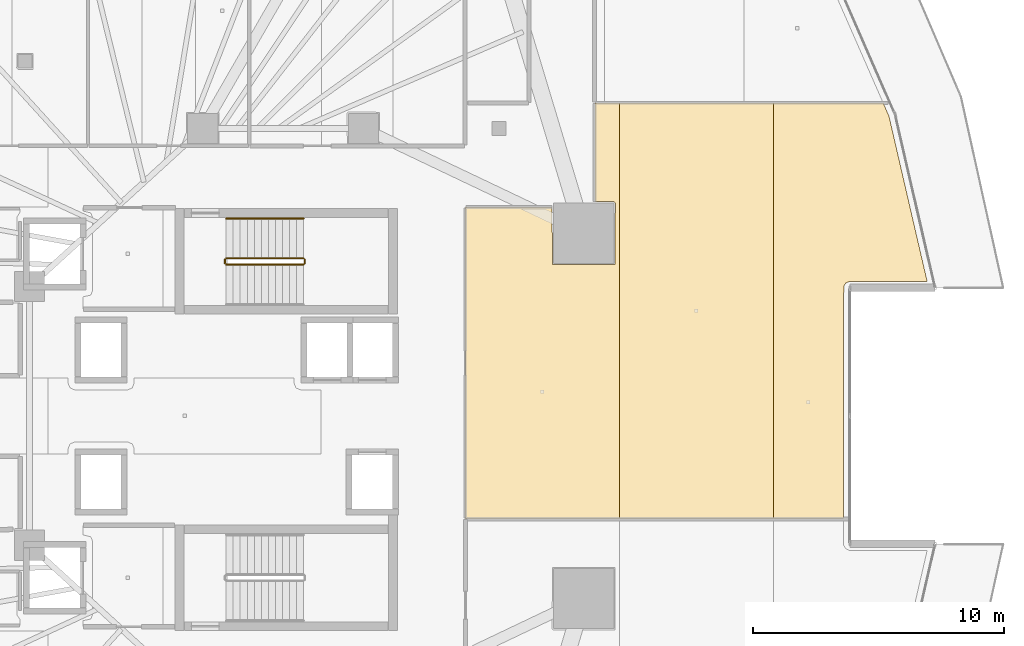
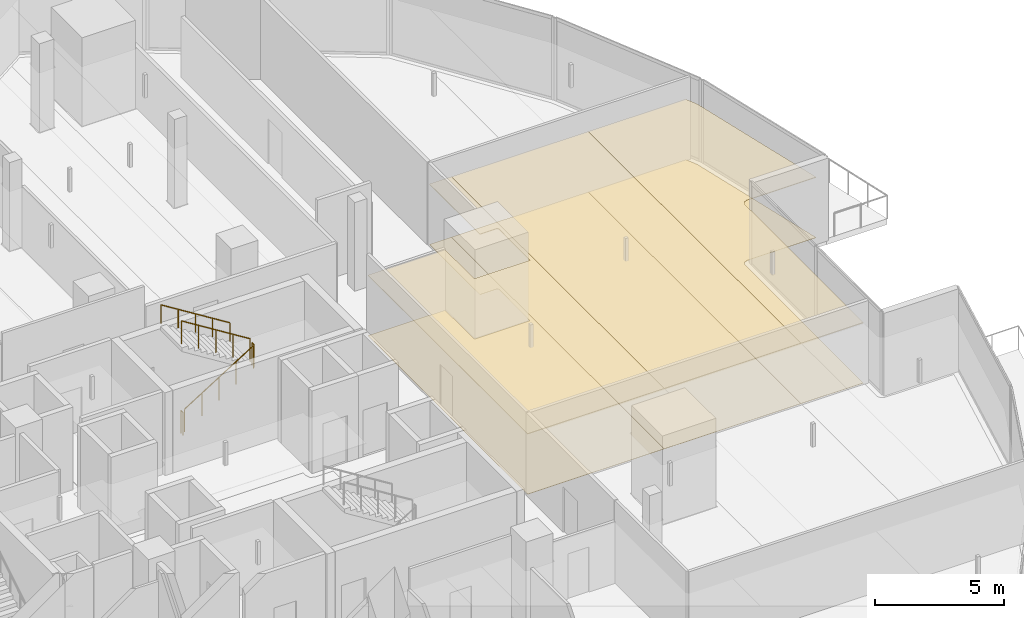
# One storey, part 44 of 45: 6 coverings, 5 railings.
"""IFC4 building model written with IfcOpenShell, lengths in metres."""

from ifc_helpers import new_model, si_unit, direction, frame, origin, origin_2d, place, context, subcontext, project, spatial, polyline, circle, outline, extrude, material, layer, layer_set, type_object, element, save


model = new_model("IFC4")

# Units and contexts
model_context = context("Model", 3, precision=1e-05, world=origin(), true_north=direction((0.0, 1.0)))
body_context = subcontext(model_context, "Body", "Model", "MODEL_VIEW")
ifc_project = project(units=[si_unit("LENGTHUNIT", "METRE"), si_unit("AREAUNIT", "SQUARE_METRE"), si_unit("VOLUMEUNIT", "CUBIC_METRE"), si_unit("PLANEANGLEUNIT", "RADIAN"), si_unit("MASSUNIT", "GRAM", prefix="KILO")], contexts=[model_context])

# Site, building, storey
site_placement = place(None, origin())
site = spatial("IfcSite", under=ifc_project, at=site_placement, CompositionType="ELEMENT")
building_placement = place(site_placement, origin())
building = spatial("IfcBuilding", under=site, at=building_placement, Name="Qorvath Tower", CompositionType="ELEMENT")
storey_placement = place(building_placement, frame((0.0, 0.0, 91.199951171875)))
storey = spatial("IfcBuildingStorey", under=building, at=storey_placement, Name="L20", CompositionType="ELEMENT", Elevation=91.199951171875)

# Coverings
ifc_material_1 = material(Name="Acoustic mineral fibre ceiling tile", Category="gypsum")
ifc_layer_1 = layer(ifc_material_1, 0.030029296875)
ifc_layer_set_1 = layer_set([ifc_layer_1], Name="COV-CEIL")
covering_type_1 = type_object("IfcCoveringType", Name="COV-CEIL", PredefinedType="CEILING", material=ifc_layer_set_1)
covering_1_placement = place(storey_placement, frame((0.0, 0.0, 2.85009765625)))
element("IfcCovering", 1, at=covering_1_placement, inside=storey, type_object=covering_type_1, Name="L20 Suspended Acoustic Ceiling 032", PredefinedType="CEILING", context=body_context, shape_type="SweptSolid", body=[
    extrude(outline(polyline([(-7.008056640625, -4.08984375), (-7.008056640625, 12.458984375), (-7.987060546875, 12.458984375), (-7.987060546875, 8.536376953125), (-7.230224609375, 8.536376953125), (-7.17041015625, 8.476318359375), (-7.18798828125, 6.033935546875), (-9.672607421875, 6.033935546875), (-9.690185546875, 8.306884765625), (-13.136962890625, 8.306884765625), (-13.136962890625, -4.08984375), (-7.008056640625, -4.08984375)])), origin(), (0.0, 0.0, 1.0), 0.030029296875),
])
covering_2_placement = place(storey_placement, frame((0.0, 0.0, 2.85009765625)))
element("IfcCovering", 2, at=covering_2_placement, inside=storey, type_object=covering_type_1, Name="L20 Suspended Acoustic Ceiling 033", PredefinedType="CEILING", context=body_context, shape_type="SweptSolid", body=[
    extrude(outline(polyline([(-0.87890625, -4.08984375), (-0.87890625, 12.458984375), (-7.008056640625, 12.458984375), (-7.008056640625, -4.08984375), (-0.87890625, -4.08984375)])), origin(), (0.0, 0.0, 1.0), 0.030029296875),
])
covering_3_placement = place(storey_placement, frame((0.0, 0.0, 2.85009765625)))
element("IfcCovering", 3, at=covering_3_placement, inside=storey, type_object=covering_type_1, Name="L20 Suspended Acoustic Ceiling 034", PredefinedType="CEILING", context=body_context, shape_type="SweptSolid", body=[
    extrude(outline(polyline([(2.14599609375, 5.35107421875), (5.25, 5.3525390625), (3.72998046875, 11.934814453125), (3.500244140625, 12.458984375), (-0.87890625, 12.458984375), (-0.87890625, -4.08984375), (1.917236328125, -4.08984375), (1.927978515625, 5.170166015625), (2.009521484375, 5.293701171875), (2.14599609375, 5.35107421875)])), origin(), (0.0, 0.0, 1.0), 0.030029296875),
])
ifc_material_2 = material(Name="Low-VOC modular carpet tile", Category="textile")
ifc_layer_2 = layer(ifc_material_2, 0.014892578125)
ifc_layer_set_2 = layer_set([ifc_layer_2], Name="COV-FLOOR-CPT")
covering_type_2 = type_object("IfcCoveringType", Name="COV-FLOOR-CPT", PredefinedType="FLOORING", material=ifc_layer_set_2)
covering_4_placement = place(storey_placement, origin())
element("IfcCovering", 4, at=covering_4_placement, inside=storey, type_object=covering_type_2, Name="L20 Floor Finish 032", PredefinedType="FLOORING", context=body_context, shape_type="SweptSolid", body=[
    extrude(outline(polyline([(-7.008056640625, -4.08984375), (-7.008056640625, 12.458984375), (-7.987060546875, 12.458984375), (-7.987060546875, 8.536376953125), (-7.230224609375, 8.536376953125), (-7.17041015625, 8.476318359375), (-7.18798828125, 6.033935546875), (-9.672607421875, 6.033935546875), (-9.690185546875, 8.306884765625), (-13.136962890625, 8.306884765625), (-13.136962890625, -4.08984375), (-7.008056640625, -4.08984375)])), origin(), (0.0, 0.0, 1.0), 0.01513671875),
])
covering_5_placement = place(storey_placement, origin())
element("IfcCovering", 5, at=covering_5_placement, inside=storey, type_object=covering_type_2, Name="L20 Floor Finish 033", PredefinedType="FLOORING", context=body_context, shape_type="SweptSolid", body=[
    extrude(outline(polyline([(-0.87890625, -4.08984375), (-0.87890625, 12.458984375), (-7.008056640625, 12.458984375), (-7.008056640625, -4.08984375), (-0.87890625, -4.08984375)])), origin(), (0.0, 0.0, 1.0), 0.01513671875),
])
covering_6_placement = place(storey_placement, origin())
element("IfcCovering", 6, at=covering_6_placement, inside=storey, type_object=covering_type_2, Name="L20 Floor Finish 034", PredefinedType="FLOORING", context=body_context, shape_type="SweptSolid", body=[
    extrude(outline(polyline([(2.14599609375, 5.35107421875), (5.25, 5.3525390625), (3.72998046875, 11.934814453125), (3.500244140625, 12.458984375), (-0.87890625, 12.458984375), (-0.87890625, -4.08984375), (1.917236328125, -4.08984375), (1.927978515625, 5.170166015625), (2.009521484375, 5.293701171875), (2.14599609375, 5.35107421875)])), origin(), (0.0, 0.0, 1.0), 0.01513671875),
])

# Railings
ifc_material_3 = material(Name="Painted galvanised steel", Category="steel")
railing_type_1 = type_object("IfcRailingType", Name="RL-STR-GRD", PredefinedType="GUARDRAIL", material=ifc_material_3)
railing_1_placement = place(storey_placement, frame((-22.669921875, 6.030029296875, 0.175048828125)))
element("IfcRailing", 7, at=railing_1_placement, inside=storey, type_object=railing_type_1, Name="L20 TS1 stair guard 1", PredefinedType="GUARDRAIL", context=body_context, shape_type="SweptSolid", body=[
    extrude(circle(Radius=0.02392578125, at=origin_2d()), frame((0.0, 0.0, 1.076171875), z_axis=(0.847979421464, 0.0, 0.530029150871), x_axis=(0.0, 1.0, 0.0)), (0.0, 0.0, 1.0), 3.632080078125),
    extrude(circle(Radius=0.02099609375, at=origin_2d()), origin(), (0.0, 0.0, 1.0), 1.052001953125),
    extrude(circle(Radius=0.02099609375, at=origin_2d()), frame((0.77001953125, 0.0, 0.481201171875)), (0.0, 0.0, 1.0), 1.052001953125),
    extrude(circle(Radius=0.02099609375, at=origin_2d()), frame((1.5400390625, 0.0, 0.96240234375)), (0.0, 0.0, 1.0), 1.052001953125),
    extrude(circle(Radius=0.02099609375, at=origin_2d()), frame((2.309814453125, 0.0, 1.44384765625)), (0.0, 0.0, 1.0), 1.052001953125),
    extrude(circle(Radius=0.02099609375, at=origin_2d()), frame((3.079833984375, 0.0, 1.925048828125)), (0.0, 0.0, 1.0), 1.052001953125),
])
railing_2_placement = place(storey_placement, frame((-19.5400390625, 6.080078125, 2.10009765625)))
element("IfcRailing", 8, at=railing_2_placement, inside=storey, type_object=railing_type_1, Name="L20 TS1 stair guard 2", PredefinedType="GUARDRAIL", context=body_context, shape_type="SweptSolid", body=[
    extrude(circle(Radius=0.02392578125, at=origin_2d()), frame((0.0, 0.0, 1.076171875), z_axis=(0.0, 1.0, 0.0), x_axis=(-1.0, 0.0, 0.0)), (0.0, 0.0, 1.0), 0.14990234375),
    extrude(circle(Radius=0.02099609375, at=origin_2d()), origin(), (0.0, 0.0, 1.0), 1.052001953125),
    extrude(circle(Radius=0.02099609375, at=origin_2d()), frame((0.0, 0.14990234375, 0.0)), (0.0, 0.0, 1.0), 1.052001953125),
])
railing_3_placement = place(storey_placement, frame((-19.590087890625, 6.280029296875, 2.275146484375)))
element("IfcRailing", 9, at=railing_3_placement, inside=storey, type_object=railing_type_1, Name="L20 TS1 stair guard 3", PredefinedType="GUARDRAIL", context=body_context, shape_type="SweptSolid", body=[
    extrude(circle(Radius=0.02392578125, at=origin_2d()), frame((0.0, 0.0, 1.076171875), z_axis=(-0.848009633417, 0.0, 0.529980812513), x_axis=(0.0, -1.0, 0.0)), (0.0, 0.0, 1.0), 3.6318359375),
    extrude(circle(Radius=0.02099609375, at=origin_2d()), origin(), (0.0, 0.0, 1.0), 1.052001953125),
    extrude(circle(Radius=0.02099609375, at=origin_2d()), frame((-0.77001953125, 0.0, 0.481201171875)), (0.0, 0.0, 1.0), 1.052001953125),
    extrude(circle(Radius=0.02099609375, at=origin_2d()), frame((-1.5400390625, 0.0, 0.96240234375)), (0.0, 0.0, 1.0), 1.052001953125),
    extrude(circle(Radius=0.02099609375, at=origin_2d()), frame((-2.309814453125, 0.0, 1.443603515625)), (0.0, 0.0, 1.0), 1.052001953125),
    extrude(circle(Radius=0.02099609375, at=origin_2d()), frame((-3.079833984375, 0.0, 1.9248046875)), (0.0, 0.0, 1.0), 1.052001953125),
])
railing_4_placement = place(storey_placement, frame((-22.719970703125, 6.080078125, 0.0)))
element("IfcRailing", 10, at=railing_4_placement, inside=storey, type_object=railing_type_1, Name="L20 TS1 stair guard 4", PredefinedType="GUARDRAIL", context=body_context, shape_type="SweptSolid", body=[
    extrude(circle(Radius=0.02392578125, at=origin_2d()), frame((0.0, 0.0, 1.076171875), z_axis=(0.0, 1.0, 0.0), x_axis=(-1.0, 0.0, 0.0)), (0.0, 0.0, 1.0), 0.14990234375),
    extrude(circle(Radius=0.02099609375, at=origin_2d()), origin(), (0.0, 0.0, 1.0), 1.052001953125),
    extrude(circle(Radius=0.02099609375, at=origin_2d()), frame((0.0, 0.14990234375, 0.0)), (0.0, 0.0, 1.0), 1.052001953125),
])
ifc_material_4 = material(Name="Brushed stainless steel AISI 304", Category="steel")
railing_type_2 = type_object("IfcRailingType", Name="RL-STR-HND", PredefinedType="HANDRAIL", material=ifc_material_4)
railing_5_placement = place(storey_placement, frame((-19.590087890625, 7.860107421875, 2.275146484375)))
element("IfcRailing", 11, at=railing_5_placement, inside=storey, type_object=railing_type_2, Name="L20 TS1 stair handrail 2", PredefinedType="HANDRAIL", context=body_context, shape_type="SweptSolid", body=[
    extrude(circle(Radius=0.02392578125, at=origin_2d()), frame((0.0, 0.0, 0.8759765625), z_axis=(-0.848009633417, 0.0, 0.529980812513), x_axis=(0.0, -1.0, 0.0)), (0.0, 0.0, 1.0), 3.6318359375),
    extrude(circle(Radius=0.02099609375, at=origin_2d()), origin(), (0.0, 0.0, 1.0), 0.851806640625),
    extrude(circle(Radius=0.02099609375, at=origin_2d()), frame((-0.77001953125, 0.0, 0.481201171875)), (0.0, 0.0, 1.0), 0.851806640625),
    extrude(circle(Radius=0.02099609375, at=origin_2d()), frame((-1.5400390625, 0.0, 0.96240234375)), (0.0, 0.0, 1.0), 0.851806640625),
    extrude(circle(Radius=0.02099609375, at=origin_2d()), frame((-2.309814453125, 0.0, 1.443603515625)), (0.0, 0.0, 1.0), 0.851806640625),
    extrude(circle(Radius=0.02099609375, at=origin_2d()), frame((-3.079833984375, 0.0, 1.9248046875)), (0.0, 0.0, 1.0), 0.851806640625),
])

save(model, "model.ifc")
